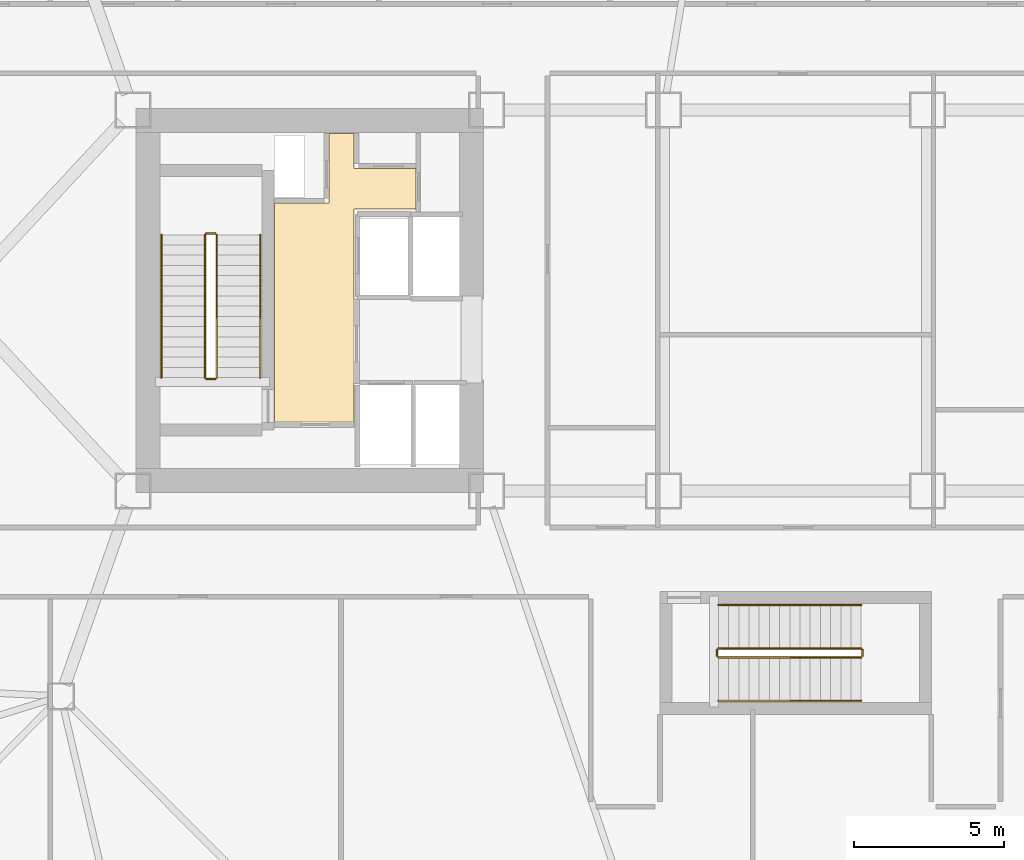
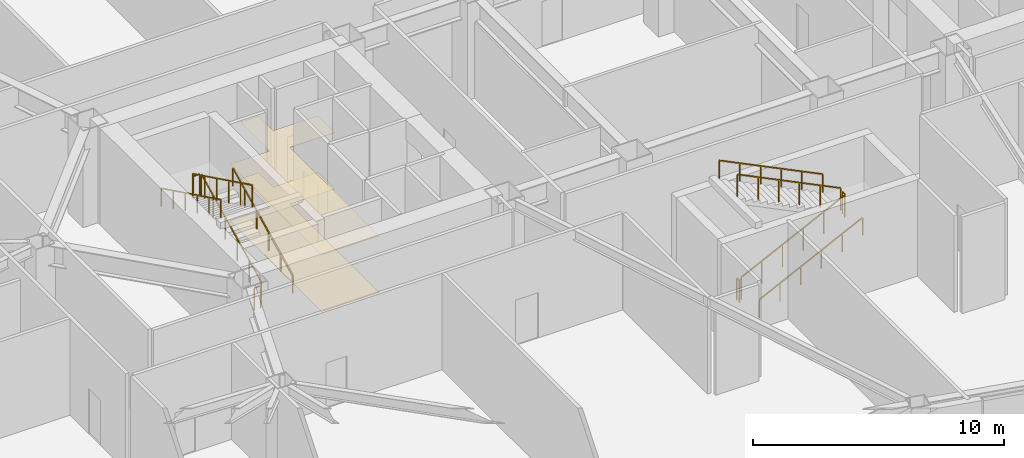
# One storey, part 20 of 21: 12 railings, 2 coverings.
"""IFC4 building model written with IfcOpenShell, lengths in metres."""

import ifcopenshell
import ifcopenshell.guid

model = None  # the IFC model being written
_history = None  # IfcOwnerHistory: only IFC2X3 demands one
_inside = {}  # id of a spatial element -> (the spatial element, [elements in it])
_under = {}  # id of a project, library or spatial element -> (it, [spatial elements below it])
_declared = {}  # id of a project -> (the project, [libraries it declares])
_typed = {}  # id of a type object -> (the type object, [elements of that type])
_made_of = {}  # id of a material, layer set ... -> (it, [elements and type objects made of it])


def new_model(schema):
    """Start an empty IFC model of exactly this schema.

    Asked for "IFC4X3", IfcOpenShell would pick the latest addendum, in which some entities
    have other attributes; the version numbers below select the first issue.
    IFC2X3 requires an IfcOwnerHistory on every rooted entity: one is made here for all.
    """
    global model, _history
    if schema == "IFC4X3":
        model = ifcopenshell.file(schema_version=(4, 3, 0, 0))
    else:
        model = ifcopenshell.file(schema=schema)
    _inside.clear()
    _under.clear()
    _declared.clear()
    _typed.clear()
    _made_of.clear()
    _history = None
    if model.schema == "IFC2X3":
        org = make("IfcOrganization", Name="unknown")
        user = make(
            "IfcPersonAndOrganization",
            ThePerson=make("IfcPerson", FamilyName="unknown"),
            TheOrganization=org,
        )
        app = make(
            "IfcApplication",
            ApplicationDeveloper=org,
            Version="unknown",
            ApplicationFullName="unknown",
            ApplicationIdentifier="unknown",
        )
        _history = make(
            "IfcOwnerHistory",
            OwningUser=user,
            OwningApplication=app,
            ChangeAction="ADDED",
            CreationDate=0,
        )
    return model


def make(cls, **values):
    """One entity of the class cls with the attributes given. An attribute that is None is left unset."""
    return model.create_entity(
        cls, **{name: value for name, value in values.items() if value is not None}
    )


def rooted(cls, **values):
    """An entity with a GlobalId (a new one), such as an element, a storey or a relation."""
    return make(cls, GlobalId=ifcopenshell.guid.new(), OwnerHistory=_history, **values)


def si_unit(unit_type, name, prefix=None):
    """IfcSIUnit, for example si_unit("LENGTHUNIT", "METRE", prefix="MILLI")."""
    return make("IfcSIUnit", UnitType=unit_type, Prefix=prefix, Name=name)


def assignment(units):
    """IfcUnitAssignment: the units of a project."""
    return None if units is None else make("IfcUnitAssignment", Units=units)


def point(xyz):
    """IfcCartesianPoint."""
    return None if xyz is None else make("IfcCartesianPoint", Coordinates=xyz)


def direction(xyz):
    """IfcDirection."""
    return None if xyz is None else make("IfcDirection", DirectionRatios=xyz)


def frame(location, z_axis=None, x_axis=None):
    """IfcAxis2Placement3D, a coordinate frame: its origin and axes. An axis left out is left unset."""
    return make(
        "IfcAxis2Placement3D",
        Location=point(location),
        Axis=direction(z_axis),
        RefDirection=direction(x_axis),
    )


def frame_2d(location, x_axis=None):
    """IfcAxis2Placement2D, a coordinate frame in the plane: its origin and x axis."""
    return make(
        "IfcAxis2Placement2D", Location=point(location), RefDirection=direction(x_axis)
    )


def origin():
    """The frame at (0, 0, 0) with its axes left unset."""
    return frame((0.0, 0.0, 0.0))


def origin_2d():
    """The frame at (0, 0) in the plane with its x axis left unset."""
    return frame_2d((0.0, 0.0))


def place(relative_to, where):
    """IfcLocalPlacement: puts the frame where relative to a parent placement (None: the world)."""
    return make(
        "IfcLocalPlacement", PlacementRelTo=relative_to, RelativePlacement=where
    )


def context(
    kind, dimensions, precision=None, world=None, true_north=None, identifier=None
):
    """IfcGeometricRepresentationContext, for example the 3D "Model" context."""
    return make(
        "IfcGeometricRepresentationContext",
        ContextIdentifier=identifier,
        ContextType=kind,
        CoordinateSpaceDimension=dimensions,
        Precision=precision,
        WorldCoordinateSystem=world,
        TrueNorth=true_north,
    )


def subcontext(parent, identifier, kind, view, scale=None):
    """IfcGeometricRepresentationSubContext, for example "Body" below "Model"."""
    return make(
        "IfcGeometricRepresentationSubContext",
        ContextIdentifier=identifier,
        ContextType=kind,
        ParentContext=parent,
        TargetScale=scale,
        TargetView=view,
    )


def project(units=None, contexts=None):
    """IfcProject with its units and contexts."""
    return rooted(
        "IfcProject",
        Name="project",
        RepresentationContexts=contexts,
        UnitsInContext=assignment(units),
    )


def spatial(cls, under=None, at=None, **own):
    """A site, building, storey or space (cls), placed at a placement, below another one or the project."""
    s = rooted(cls, ObjectPlacement=at, **own)
    if under is not None:
        _under.setdefault(under.id(), (under, []))[1].append(s)
    return s


def polyline(points):
    """IfcPolyline through the points."""
    return make("IfcPolyline", Points=[point(p) for p in points])


def profile(cls, at=None, kind="AREA", **sizes):
    """A parametric profile (cls). Its sizes go by their IFC names, for example OverallWidth=200.0."""
    return make(cls, ProfileType=kind, Position=at, **sizes)


def rectangle(**sizes):
    """IfcRectangleProfileDef."""
    return profile("IfcRectangleProfileDef", **sizes)


def outline(outer, holes=None, kind="AREA"):
    """IfcArbitraryClosedProfileDef: a profile drawn as a closed curve; with holes, ...WithVoids."""
    if holes is None:
        return make("IfcArbitraryClosedProfileDef", ProfileType=kind, OuterCurve=outer)
    return make(
        "IfcArbitraryProfileDefWithVoids",
        ProfileType=kind,
        OuterCurve=outer,
        InnerCurves=holes,
    )


def extrude(swept, where, along, depth):
    """IfcExtrudedAreaSolid: the profile swept, set in the frame where, extruded along a direction by depth."""
    return make(
        "IfcExtrudedAreaSolid",
        SweptArea=swept,
        Position=where,
        ExtrudedDirection=direction(along),
        Depth=depth,
    )


def shape(context_of_items, identifier, shape_type, items):
    """IfcShapeRepresentation: the items that make up one representation, for example the "Body"."""
    return make(
        "IfcShapeRepresentation",
        ContextOfItems=context_of_items,
        RepresentationIdentifier=identifier,
        RepresentationType=shape_type,
        Items=items,
    )


def material(Name=None, Category=None):
    """IfcMaterial."""
    return make("IfcMaterial", Name=Name, Category=Category)


def layer(
    of_material, thickness, ventilated=None, Name=None, Category=None, Priority=None
):
    """IfcMaterialLayer: one layer of a wall or slab, of a material (None: an air gap)."""
    return make(
        "IfcMaterialLayer",
        Material=of_material,
        LayerThickness=thickness,
        IsVentilated=ventilated,
        Name=Name,
        Category=Category,
        Priority=Priority,
    )


def layer_set(layers, Name=None):
    """IfcMaterialLayerSet."""
    return make("IfcMaterialLayerSet", MaterialLayers=layers, LayerSetName=Name)


def made_of(thing, what):
    """Note that an element or type object is made of a material, layer set ...; save() writes the relation."""
    if what is not None:
        _made_of.setdefault(what.id(), (what, []))[1].append(thing)
    return thing


def type_object(cls, material=None, **own):
    """A type object (cls), such as IfcWallType, which elements share."""
    return made_of(rooted(cls, **own), material)


def element(
    cls,
    number,
    at=None,
    inside=None,
    cuts=None,
    type_object=None,
    material=None,
    context=None,
    identifier="Body",
    shape_type=None,
    held_by="IfcProductDefinitionShape",
    body=None,
    shapes=None,
    **own,
):
    """One element of the class cls, such as IfcWall. Its Tag is "e" and its number.

    at: its placement. inside: the storey or other place that contains it. cuts: it is an
    opening in that element (IfcRelVoidsElement). A single representation is given by context,
    identifier, shape_type and body (its items); several are given by shapes. held_by: the class
    of the entity that holds the representations. save() writes the other relations.
    """
    e = rooted(cls, Tag="e%d" % number, ObjectPlacement=at, **own)
    if body is not None:
        shapes = [shape(context, identifier, shape_type, body)]
    if shapes is not None:
        e.Representation = make(held_by, Representations=shapes)
    if inside is not None:
        _inside.setdefault(inside.id(), (inside, []))[1].append(e)
    if cuts is not None:
        rooted(
            "IfcRelVoidsElement", RelatingBuildingElement=cuts, RelatedOpeningElement=e
        )
    if type_object is not None:
        _typed.setdefault(type_object.id(), (type_object, []))[1].append(e)
    return made_of(e, material)


def aggregate(whole, parts):
    """IfcRelAggregates: a whole, such as a stair, and the parts it consists of."""
    return rooted("IfcRelAggregates", RelatingObject=whole, RelatedObjects=parts)


def save(model, path):
    """Write the relations noted so far, then the file.

    IfcRelAggregates (storeys below a building ...), IfcRelContainedInSpatialStructure (elements
    in a storey), IfcRelDefinesByType, IfcRelAssociatesMaterial and IfcRelDeclares: one each for
    every whole, place, type object, material and project.
    """
    for whole, parts in _under.values():
        aggregate(whole, parts)
    for where, things in _inside.values():
        rooted(
            "IfcRelContainedInSpatialStructure",
            RelatedElements=things,
            RelatingStructure=where,
        )
    for kind, things in _typed.values():
        rooted("IfcRelDefinesByType", RelatedObjects=things, RelatingType=kind)
    for what, things in _made_of.values():
        rooted("IfcRelAssociatesMaterial", RelatedObjects=things, RelatingMaterial=what)
    for by, libraries in _declared.values():
        rooted("IfcRelDeclares", RelatingContext=by, RelatedDefinitions=libraries)
    model.write(path)


model = new_model("IFC4")

# Units and contexts
model_context = context("Model", 3, precision=1e-05, world=origin(), true_north=direction((0.0, 1.0)))
body_context = subcontext(model_context, "Body", "Model", "MODEL_VIEW")
ifc_project = project(units=[si_unit("LENGTHUNIT", "METRE"), si_unit("AREAUNIT", "SQUARE_METRE"), si_unit("VOLUMEUNIT", "CUBIC_METRE"), si_unit("PLANEANGLEUNIT", "RADIAN"), si_unit("MASSUNIT", "GRAM", prefix="KILO")], contexts=[model_context])

# Site, building, storey
site_placement = place(None, origin())
site = spatial("IfcSite", under=ifc_project, at=site_placement, CompositionType="ELEMENT")
building_placement = place(site_placement, origin())
building = spatial("IfcBuilding", under=site, at=building_placement, Name="Tavrogorsk Clinical Tower", CompositionType="ELEMENT")
storey_placement = place(building_placement, frame((0.0, 0.0, 8.39990234375)))
storey = spatial("IfcBuildingStorey", under=building, at=storey_placement, Name="L01", CompositionType="ELEMENT", Elevation=8.39990234375)

# Coverings
ifc_material_1 = material(Name="Antibacterial micro-perforated aluminium ceiling", Category="aluminium")
ifc_layer_1 = layer(ifc_material_1, 0.014892578125)
ifc_layer_set_1 = layer_set([ifc_layer_1], Name="Antibacterial micro-perforated aluminium ceiling")
covering_type_1 = type_object("IfcCoveringType", Name="ClinicalCeiling_15", PredefinedType="CEILING", material=ifc_layer_set_1)
covering_1_placement = place(storey_placement, frame((0.0, 0.0, 2.75)))
element("IfcCovering", 1, at=covering_1_placement, inside=storey, type_object=covering_type_1, Name="Core West Firefighting Lift Lobby Acoustic Ceiling", PredefinedType="CEILING", context=body_context, shape_type="SweptSolid", body=[
    extrude(outline(polyline([(-17.3798828125, -4.06005859375), (-17.3798828125, 3.239990234375), (-15.56005859375, 3.239990234375), (-15.56005859375, 5.56005859375), (-14.719970703125, 5.56005859375), (-14.719970703125, 4.39990234375), (-12.659912109375, 4.39990234375), (-12.659912109375, 3.0400390625), (-14.719970703125, 3.0400390625), (-14.719970703125, -4.06005859375), (-17.3798828125, -4.06005859375)])), origin(), (0.0, 0.0, 1.0), 0.01513671875),
])
ifc_material_2 = material(Name="Homogeneous medical conductive PVC flooring")
ifc_layer_2 = layer(ifc_material_2, 0.008056640625)
ifc_layer_set_2 = layer_set([ifc_layer_2], Name="Homogeneous medical conductive PVC flooring")
covering_type_2 = type_object("IfcCoveringType", Name="ResilientVinylFloor_8", PredefinedType="FLOORING", material=ifc_layer_set_2)
covering_2_placement = place(storey_placement, origin())
element("IfcCovering", 2, at=covering_2_placement, inside=storey, type_object=covering_type_2, Name="Core West Firefighting Lift Lobby Conductive Vinyl Flooring", PredefinedType="FLOORING", context=body_context, shape_type="SweptSolid", body=[
    extrude(outline(polyline([(-17.3798828125, -4.06005859375), (-17.3798828125, 3.239990234375), (-15.56005859375, 3.239990234375), (-15.56005859375, 5.56005859375), (-14.719970703125, 5.56005859375), (-14.719970703125, 4.39990234375), (-12.659912109375, 4.39990234375), (-12.659912109375, 3.0400390625), (-14.719970703125, 3.0400390625), (-14.719970703125, -4.06005859375), (-17.3798828125, -4.06005859375)])), origin(), (0.0, 0.0, 1.0), 0.008056640625),
])

# Railings
ifc_material_3 = material(Name="Galvanised steel S355 safety stairwell guard", Category="steel")
ifc_layer_3 = layer(ifc_material_3, 0.06005859375)
ifc_layer_set_3 = layer_set([ifc_layer_3], Name="Galvanised steel S355 safety stairwell guard")
railing_type_1 = type_object("IfcRailingType", Name="StairGuard_1150", PredefinedType="GUARDRAIL", material=ifc_layer_set_3)
railing_1_placement = place(storey_placement, frame((-19.300048828125, -2.574951171875, 0.166748046875)))
element("IfcRailing", 3, at=railing_1_placement, inside=storey, type_object=railing_type_1, Name="L01 ST-W stair guard 1", PredefinedType="GUARDRAIL", context=body_context, shape_type="SweptSolid", body=[
    extrude(rectangle(XDim=0.048095703125, YDim=0.048095703125, at=origin_2d()), frame((0.0, 0.0, 1.076171875), z_axis=(0.0, 0.897927146867, 0.440144111535), x_axis=(-1.0, 0.0, 0.0)), (0.0, 0.0, 1.0), 5.301025390625),
    extrude(rectangle(XDim=0.0419921875, YDim=0.0419921875, at=origin_2d()), origin(), (0.0, 0.0, 1.0), 1.052001953125),
    extrude(rectangle(XDim=0.0419921875, YDim=0.0419921875, at=origin_2d()), frame((0.0, 0.951904296875, 0.466552734375)), (0.0, 0.0, 1.0), 1.052001953125),
    extrude(rectangle(XDim=0.0419921875, YDim=0.0419921875, at=origin_2d()), frame((0.0, 1.904052734375, 0.933349609375)), (0.0, 0.0, 1.0), 1.052001953125),
    extrude(rectangle(XDim=0.0419921875, YDim=0.0419921875, at=origin_2d()), frame((0.0, 2.85595703125, 1.39990234375)), (0.0, 0.0, 1.0), 1.052001953125),
    extrude(rectangle(XDim=0.0419921875, YDim=0.0419921875, at=origin_2d()), frame((0.0, 3.80810546875, 1.86669921875)), (0.0, 0.0, 1.0), 1.052001953125),
    extrude(rectangle(XDim=0.0419921875, YDim=0.0419921875, at=origin_2d()), frame((0.0, 4.760009765625, 2.333251953125)), (0.0, 0.0, 1.0), 1.052001953125),
])
railing_2_placement = place(storey_placement, frame((-19.35009765625, 2.235107421875, 2.5)))
element("IfcRailing", 4, at=railing_2_placement, inside=storey, type_object=railing_type_1, Name="L01 ST-W stair guard 2", PredefinedType="GUARDRAIL", context=body_context, shape_type="SweptSolid", body=[
    extrude(rectangle(XDim=0.048095703125, YDim=0.048095703125, at=origin_2d()), frame((0.0, 0.0, 1.076171875), z_axis=(-1.0, 0.0, 0.0), x_axis=(0.0, -1.0, 0.0)), (0.0, 0.0, 1.0), 0.2998046875),
    extrude(rectangle(XDim=0.0419921875, YDim=0.0419921875, at=origin_2d()), origin(), (0.0, 0.0, 1.0), 1.052001953125),
    extrude(rectangle(XDim=0.0419921875, YDim=0.0419921875, at=origin_2d()), frame((-0.2998046875, 0.0, 0.0)), (0.0, 0.0, 1.0), 1.052001953125),
])
railing_3_placement = place(storey_placement, frame((-19.699951171875, 2.18505859375, 2.666748046875)))
element("IfcRailing", 5, at=railing_3_placement, inside=storey, type_object=railing_type_1, Name="L01 ST-W stair guard 3", PredefinedType="GUARDRAIL", context=body_context, shape_type="SweptSolid", body=[
    extrude(rectangle(XDim=0.048095703125, YDim=0.048095703125, at=origin_2d()), frame((0.0, 0.0, 1.076171875), z_axis=(0.0, -0.897927146867, 0.440144111535), x_axis=(1.0, 0.0, 0.0)), (0.0, 0.0, 1.0), 5.301025390625),
    extrude(rectangle(XDim=0.0419921875, YDim=0.0419921875, at=origin_2d()), origin(), (0.0, 0.0, 1.0), 1.052001953125),
    extrude(rectangle(XDim=0.0419921875, YDim=0.0419921875, at=origin_2d()), frame((0.0, -0.951904296875, 0.466552734375)), (0.0, 0.0, 1.0), 1.052001953125),
    extrude(rectangle(XDim=0.0419921875, YDim=0.0419921875, at=origin_2d()), frame((0.0, -1.904052734375, 0.933349609375)), (0.0, 0.0, 1.0), 1.052001953125),
    extrude(rectangle(XDim=0.0419921875, YDim=0.0419921875, at=origin_2d()), frame((0.0, -2.85595703125, 1.39990234375)), (0.0, 0.0, 1.0), 1.052001953125),
    extrude(rectangle(XDim=0.0419921875, YDim=0.0419921875, at=origin_2d()), frame((0.0, -3.80810546875, 1.86669921875)), (0.0, 0.0, 1.0), 1.052001953125),
    extrude(rectangle(XDim=0.0419921875, YDim=0.0419921875, at=origin_2d()), frame((0.0, -4.760009765625, 2.333251953125)), (0.0, 0.0, 1.0), 1.052001953125),
])
railing_4_placement = place(storey_placement, frame((-19.35009765625, -2.625, 0.0)))
element("IfcRailing", 6, at=railing_4_placement, inside=storey, type_object=railing_type_1, Name="L01 ST-W stair guard 4", PredefinedType="GUARDRAIL", context=body_context, shape_type="SweptSolid", body=[
    extrude(rectangle(XDim=0.048095703125, YDim=0.048095703125, at=origin_2d()), frame((0.0, 0.0, 1.076171875), z_axis=(-1.0, 0.0, 0.0), x_axis=(0.0, -1.0, 0.0)), (0.0, 0.0, 1.0), 0.2998046875),
    extrude(rectangle(XDim=0.0419921875, YDim=0.0419921875, at=origin_2d()), origin(), (0.0, 0.0, 1.0), 1.052001953125),
    extrude(rectangle(XDim=0.0419921875, YDim=0.0419921875, at=origin_2d()), frame((-0.2998046875, 0.0, 0.0)), (0.0, 0.0, 1.0), 1.052001953125),
])
railing_5_placement = place(storey_placement, frame((-2.574951171875, -11.89990234375, 0.166748046875)))
element("IfcRailing", 7, at=railing_5_placement, inside=storey, type_object=railing_type_1, Name="L01 ST-P stair guard 1", PredefinedType="GUARDRAIL", context=body_context, shape_type="SweptSolid", body=[
    extrude(rectangle(XDim=0.048095703125, YDim=0.048095703125, at=origin_2d()), frame((0.0, 0.0, 1.076171875), z_axis=(0.897927146867, 0.0, 0.440144111535), x_axis=(0.0, 1.0, 0.0)), (0.0, 0.0, 1.0), 5.301025390625),
    extrude(rectangle(XDim=0.0419921875, YDim=0.0419921875, at=origin_2d()), origin(), (0.0, 0.0, 1.0), 1.052001953125),
    extrude(rectangle(XDim=0.0419921875, YDim=0.0419921875, at=origin_2d()), frame((0.951904296875, 0.0, 0.466552734375)), (0.0, 0.0, 1.0), 1.052001953125),
    extrude(rectangle(XDim=0.0419921875, YDim=0.0419921875, at=origin_2d()), frame((1.904052734375, 0.0, 0.933349609375)), (0.0, 0.0, 1.0), 1.052001953125),
    extrude(rectangle(XDim=0.0419921875, YDim=0.0419921875, at=origin_2d()), frame((2.85595703125, 0.0, 1.39990234375)), (0.0, 0.0, 1.0), 1.052001953125),
    extrude(rectangle(XDim=0.0419921875, YDim=0.0419921875, at=origin_2d()), frame((3.80810546875, 0.0, 1.86669921875)), (0.0, 0.0, 1.0), 1.052001953125),
    extrude(rectangle(XDim=0.0419921875, YDim=0.0419921875, at=origin_2d()), frame((4.760009765625, 0.0, 2.333251953125)), (0.0, 0.0, 1.0), 1.052001953125),
])
railing_6_placement = place(storey_placement, frame((2.235107421875, -11.85009765625, 2.5)))
element("IfcRailing", 8, at=railing_6_placement, inside=storey, type_object=railing_type_1, Name="L01 ST-P stair guard 2", PredefinedType="GUARDRAIL", context=body_context, shape_type="SweptSolid", body=[
    extrude(rectangle(XDim=0.048095703125, YDim=0.048095703125, at=origin_2d()), frame((0.0, 0.0, 1.076171875), z_axis=(0.0, 1.0, 0.0), x_axis=(-1.0, 0.0, 0.0)), (0.0, 0.0, 1.0), 0.2001953125),
    extrude(rectangle(XDim=0.0419921875, YDim=0.0419921875, at=origin_2d()), origin(), (0.0, 0.0, 1.0), 1.052001953125),
    extrude(rectangle(XDim=0.0419921875, YDim=0.0419921875, at=origin_2d()), frame((0.0, 0.2001953125, 0.0)), (0.0, 0.0, 1.0), 1.052001953125),
])
railing_7_placement = place(storey_placement, frame((2.18505859375, -11.60009765625, 2.666748046875)))
element("IfcRailing", 9, at=railing_7_placement, inside=storey, type_object=railing_type_1, Name="L01 ST-P stair guard 3", PredefinedType="GUARDRAIL", context=body_context, shape_type="SweptSolid", body=[
    extrude(rectangle(XDim=0.048095703125, YDim=0.048095703125, at=origin_2d()), frame((0.0, 0.0, 1.076171875), z_axis=(-0.897927146867, 0.0, 0.440144111535), x_axis=(0.0, -1.0, 0.0)), (0.0, 0.0, 1.0), 5.301025390625),
    extrude(rectangle(XDim=0.0419921875, YDim=0.0419921875, at=origin_2d()), origin(), (0.0, 0.0, 1.0), 1.052001953125),
    extrude(rectangle(XDim=0.0419921875, YDim=0.0419921875, at=origin_2d()), frame((-0.951904296875, 0.0, 0.466552734375)), (0.0, 0.0, 1.0), 1.052001953125),
    extrude(rectangle(XDim=0.0419921875, YDim=0.0419921875, at=origin_2d()), frame((-1.904052734375, 0.0, 0.933349609375)), (0.0, 0.0, 1.0), 1.052001953125),
    extrude(rectangle(XDim=0.0419921875, YDim=0.0419921875, at=origin_2d()), frame((-2.85595703125, 0.0, 1.39990234375)), (0.0, 0.0, 1.0), 1.052001953125),
    extrude(rectangle(XDim=0.0419921875, YDim=0.0419921875, at=origin_2d()), frame((-3.80810546875, 0.0, 1.86669921875)), (0.0, 0.0, 1.0), 1.052001953125),
    extrude(rectangle(XDim=0.0419921875, YDim=0.0419921875, at=origin_2d()), frame((-4.760009765625, 0.0, 2.333251953125)), (0.0, 0.0, 1.0), 1.052001953125),
])
railing_8_placement = place(storey_placement, frame((-2.625, -11.85009765625, 0.0)))
element("IfcRailing", 10, at=railing_8_placement, inside=storey, type_object=railing_type_1, Name="L01 ST-P stair guard 4", PredefinedType="GUARDRAIL", context=body_context, shape_type="SweptSolid", body=[
    extrude(rectangle(XDim=0.048095703125, YDim=0.048095703125, at=origin_2d()), frame((0.0, 0.0, 1.076171875), z_axis=(0.0, 1.0, 0.0), x_axis=(-1.0, 0.0, 0.0)), (0.0, 0.0, 1.0), 0.2001953125),
    extrude(rectangle(XDim=0.0419921875, YDim=0.0419921875, at=origin_2d()), origin(), (0.0, 0.0, 1.0), 1.052001953125),
    extrude(rectangle(XDim=0.0419921875, YDim=0.0419921875, at=origin_2d()), frame((0.0, 0.2001953125, 0.0)), (0.0, 0.0, 1.0), 1.052001953125),
])
ifc_material_4 = material(Name="Stainless steel AISI 304 tubular handrail", Category="steel")
ifc_layer_4 = layer(ifc_material_4, 0.050048828125)
ifc_layer_set_4 = layer_set([ifc_layer_4], Name="Stainless steel AISI 304 tubular handrail")
railing_type_2 = type_object("IfcRailingType", Name="StairHandrail_920", PredefinedType="HANDRAIL", material=ifc_layer_set_4)
railing_9_placement = place(storey_placement, frame((-17.85009765625, -2.574951171875, 0.166748046875)))
element("IfcRailing", 11, at=railing_9_placement, inside=storey, type_object=railing_type_2, Name="L01 ST-W stair handrail 1", PredefinedType="HANDRAIL", context=body_context, shape_type="SweptSolid", body=[
    extrude(rectangle(XDim=0.048095703125, YDim=0.048095703125, at=origin_2d()), frame((0.0, 0.0, 0.8759765625), z_axis=(0.0, 0.897927146867, 0.440144111535), x_axis=(-1.0, 0.0, 0.0)), (0.0, 0.0, 1.0), 5.301025390625),
    extrude(rectangle(XDim=0.0419921875, YDim=0.0419921875, at=origin_2d()), origin(), (0.0, 0.0, 1.0), 0.851806640625),
    extrude(rectangle(XDim=0.0419921875, YDim=0.0419921875, at=origin_2d()), frame((0.0, 0.951904296875, 0.466552734375)), (0.0, 0.0, 1.0), 0.851806640625),
    extrude(rectangle(XDim=0.0419921875, YDim=0.0419921875, at=origin_2d()), frame((0.0, 1.904052734375, 0.933349609375)), (0.0, 0.0, 1.0), 0.851806640625),
    extrude(rectangle(XDim=0.0419921875, YDim=0.0419921875, at=origin_2d()), frame((0.0, 2.85595703125, 1.39990234375)), (0.0, 0.0, 1.0), 0.851806640625),
    extrude(rectangle(XDim=0.0419921875, YDim=0.0419921875, at=origin_2d()), frame((0.0, 3.80810546875, 1.86669921875)), (0.0, 0.0, 1.0), 0.851806640625),
    extrude(rectangle(XDim=0.0419921875, YDim=0.0419921875, at=origin_2d()), frame((0.0, 4.760009765625, 2.333251953125)), (0.0, 0.0, 1.0), 0.851806640625),
])
railing_10_placement = place(storey_placement, frame((-21.14990234375, 2.18505859375, 2.666748046875)))
element("IfcRailing", 12, at=railing_10_placement, inside=storey, type_object=railing_type_2, Name="L01 ST-W stair handrail 2", PredefinedType="HANDRAIL", context=body_context, shape_type="SweptSolid", body=[
    extrude(rectangle(XDim=0.048095703125, YDim=0.048095703125, at=origin_2d()), frame((0.0, 0.0, 0.8759765625), z_axis=(0.0, -0.897927146867, 0.440144111535), x_axis=(1.0, 0.0, 0.0)), (0.0, 0.0, 1.0), 5.301025390625),
    extrude(rectangle(XDim=0.0419921875, YDim=0.0419921875, at=origin_2d()), origin(), (0.0, 0.0, 1.0), 0.851806640625),
    extrude(rectangle(XDim=0.0419921875, YDim=0.0419921875, at=origin_2d()), frame((0.0, -0.951904296875, 0.466552734375)), (0.0, 0.0, 1.0), 0.851806640625),
    extrude(rectangle(XDim=0.0419921875, YDim=0.0419921875, at=origin_2d()), frame((0.0, -1.904052734375, 0.933349609375)), (0.0, 0.0, 1.0), 0.851806640625),
    extrude(rectangle(XDim=0.0419921875, YDim=0.0419921875, at=origin_2d()), frame((0.0, -2.85595703125, 1.39990234375)), (0.0, 0.0, 1.0), 0.851806640625),
    extrude(rectangle(XDim=0.0419921875, YDim=0.0419921875, at=origin_2d()), frame((0.0, -3.80810546875, 1.86669921875)), (0.0, 0.0, 1.0), 0.851806640625),
    extrude(rectangle(XDim=0.0419921875, YDim=0.0419921875, at=origin_2d()), frame((0.0, -4.760009765625, 2.333251953125)), (0.0, 0.0, 1.0), 0.851806640625),
])
railing_11_placement = place(storey_placement, frame((-2.574951171875, -13.35009765625, 0.166748046875)))
element("IfcRailing", 13, at=railing_11_placement, inside=storey, type_object=railing_type_2, Name="L01 ST-P stair handrail 1", PredefinedType="HANDRAIL", context=body_context, shape_type="SweptSolid", body=[
    extrude(rectangle(XDim=0.048095703125, YDim=0.048095703125, at=origin_2d()), frame((0.0, 0.0, 0.8759765625), z_axis=(0.897927146867, 0.0, 0.440144111535), x_axis=(0.0, 1.0, 0.0)), (0.0, 0.0, 1.0), 5.301025390625),
    extrude(rectangle(XDim=0.0419921875, YDim=0.0419921875, at=origin_2d()), origin(), (0.0, 0.0, 1.0), 0.851806640625),
    extrude(rectangle(XDim=0.0419921875, YDim=0.0419921875, at=origin_2d()), frame((0.951904296875, 0.0, 0.466552734375)), (0.0, 0.0, 1.0), 0.851806640625),
    extrude(rectangle(XDim=0.0419921875, YDim=0.0419921875, at=origin_2d()), frame((1.904052734375, 0.0, 0.933349609375)), (0.0, 0.0, 1.0), 0.851806640625),
    extrude(rectangle(XDim=0.0419921875, YDim=0.0419921875, at=origin_2d()), frame((2.85595703125, 0.0, 1.39990234375)), (0.0, 0.0, 1.0), 0.851806640625),
    extrude(rectangle(XDim=0.0419921875, YDim=0.0419921875, at=origin_2d()), frame((3.80810546875, 0.0, 1.86669921875)), (0.0, 0.0, 1.0), 0.851806640625),
    extrude(rectangle(XDim=0.0419921875, YDim=0.0419921875, at=origin_2d()), frame((4.760009765625, 0.0, 2.333251953125)), (0.0, 0.0, 1.0), 0.851806640625),
])
railing_12_placement = place(storey_placement, frame((2.18505859375, -10.14990234375, 2.666748046875)))
element("IfcRailing", 14, at=railing_12_placement, inside=storey, type_object=railing_type_2, Name="L01 ST-P stair handrail 2", PredefinedType="HANDRAIL", context=body_context, shape_type="SweptSolid", body=[
    extrude(rectangle(XDim=0.048095703125, YDim=0.048095703125, at=origin_2d()), frame((0.0, 0.0, 0.8759765625), z_axis=(-0.897927146867, 0.0, 0.440144111535), x_axis=(0.0, -1.0, 0.0)), (0.0, 0.0, 1.0), 5.301025390625),
    extrude(rectangle(XDim=0.0419921875, YDim=0.0419921875, at=origin_2d()), origin(), (0.0, 0.0, 1.0), 0.851806640625),
    extrude(rectangle(XDim=0.0419921875, YDim=0.0419921875, at=origin_2d()), frame((-0.951904296875, 0.0, 0.466552734375)), (0.0, 0.0, 1.0), 0.851806640625),
    extrude(rectangle(XDim=0.0419921875, YDim=0.0419921875, at=origin_2d()), frame((-1.904052734375, 0.0, 0.933349609375)), (0.0, 0.0, 1.0), 0.851806640625),
    extrude(rectangle(XDim=0.0419921875, YDim=0.0419921875, at=origin_2d()), frame((-2.85595703125, 0.0, 1.39990234375)), (0.0, 0.0, 1.0), 0.851806640625),
    extrude(rectangle(XDim=0.0419921875, YDim=0.0419921875, at=origin_2d()), frame((-3.80810546875, 0.0, 1.86669921875)), (0.0, 0.0, 1.0), 0.851806640625),
    extrude(rectangle(XDim=0.0419921875, YDim=0.0419921875, at=origin_2d()), frame((-4.760009765625, 0.0, 2.333251953125)), (0.0, 0.0, 1.0), 0.851806640625),
])

save(model, "model.ifc")
